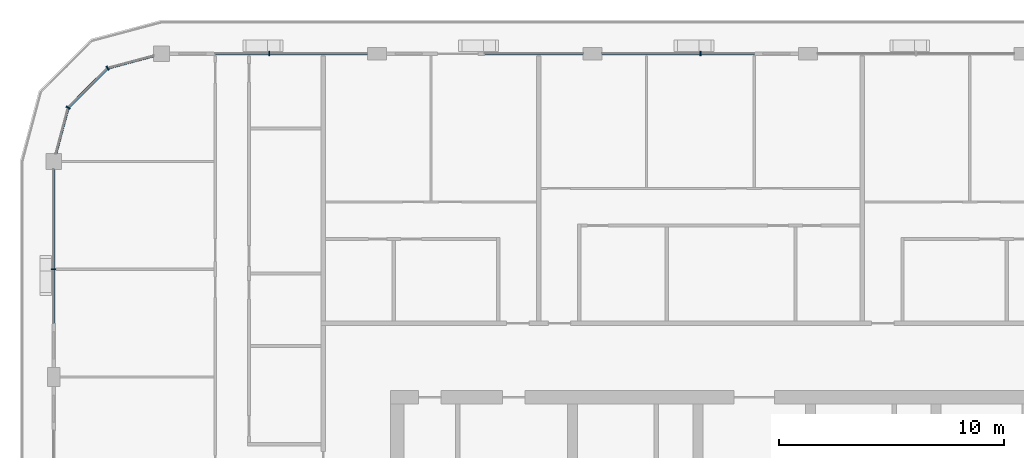
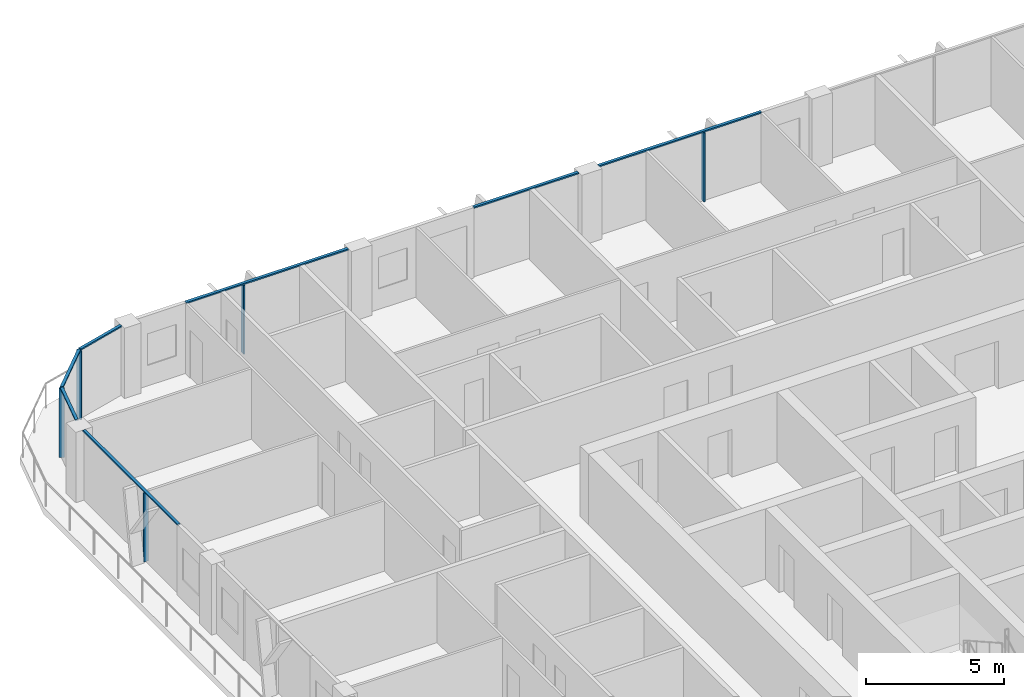
# One storey, part 5 of 22: 12 members, 5 elements without a shape of their own.
"""IFC4 building model written with IfcOpenShell, lengths in metres."""

from ifc_helpers import new_model, si_unit, direction, frame, origin, origin_2d, place, context, subcontext, project, spatial, rectangle, extrude, material, layer, layer_set, material_profile, profile_set, type_object, element, aggregate, save


model = new_model("IFC4")

# Units and contexts
model_context = context("Model", 3, precision=1e-05, world=origin(), true_north=direction((0.0, 1.0)))
body_context = subcontext(model_context, "Body", "Model", "MODEL_VIEW")
ifc_project = project(units=[si_unit("LENGTHUNIT", "METRE"), si_unit("AREAUNIT", "SQUARE_METRE"), si_unit("VOLUMEUNIT", "CUBIC_METRE"), si_unit("PLANEANGLEUNIT", "RADIAN"), si_unit("MASSUNIT", "GRAM", prefix="KILO")], contexts=[model_context])

# Site, building, storey
site_placement = place(None, origin())
site = spatial("IfcSite", under=ifc_project, at=site_placement, CompositionType="ELEMENT")
building_placement = place(site_placement, origin())
building = spatial("IfcBuilding", under=site, at=building_placement, Name="Madar Terraces", CompositionType="ELEMENT")
storey_placement = place(building_placement, frame((0.0, 0.0, 259.699951171875)))
storey = spatial("IfcBuildingStorey", under=building, at=storey_placement, Name="L68", CompositionType="ELEMENT", Elevation=259.699951171875)

# Curtain wall, member
ifc_material_1 = material(Name="Glass, ceramic frit dark grey, with black aluminium frame", Category="aluminium")
ifc_layer = layer(ifc_material_1, 0.199951171875)
ifc_layer_set = layer_set([ifc_layer], Name="Facade curtain wall, fritted glass")
curtain_wall_type = type_object("IfcCurtainWallType", Name="Facade curtain wall, fritted glass", PredefinedType="NOTDEFINED", material=ifc_layer_set)
curtain_wall_1_placement = place(storey_placement, origin())
curtain_wall_1 = element("IfcCurtainWall", 1, at=curtain_wall_1_placement, inside=storey, type_object=curtain_wall_type, Name="Outer skin curtain wall north bay 3", PredefinedType="NOTDEFINED")
ifc_material_2 = material(Name="Aluminium, black anodised", Category="aluminium")
ifc_material_profile_1 = material_profile(ifc_material_2, rectangle(XDim=0.199951171875, YDim=0.06005859375, at=origin_2d()), Name="Facade mullion 60x200")
ifc_profile_set_1 = profile_set([ifc_material_profile_1], Name="Aluminium, black anodised")
member_type_1 = type_object("IfcMemberType", Name="Facade mullion 60x200", PredefinedType="MULLION", material=ifc_profile_set_1)
member_1_placement = place(storey_placement, frame((28.800048828125, 52.800048828125, 0.0), z_axis=(0.0, 0.0, 1.0), x_axis=(0.0, -1.0, 0.0)))
member_1 = element("IfcMember", 2, at=member_1_placement, type_object=member_type_1, Name="Mullion 1", PredefinedType="MULLION", context=body_context, shape_type="SweptSolid", body=[
    extrude(rectangle(XDim=0.199951171875, YDim=0.06005859375, at=origin_2d()), origin(), (0.0, 0.0, 1.0), 3.0400390625),
])

curtain_wall_2_placement = place(storey_placement, origin())
curtain_wall_2 = element("IfcCurtainWall", 3, at=curtain_wall_2_placement, inside=storey, type_object=curtain_wall_type, Name="Outer skin curtain wall north bay 5", PredefinedType="NOTDEFINED")
member_2_placement = place(storey_placement, frame((9.60009765625, 52.800048828125, 0.0), z_axis=(0.0, 0.0, 1.0), x_axis=(0.0, -1.0, 0.0)))
member_2 = element("IfcMember", 4, at=member_2_placement, type_object=member_type_1, Name="Mullion 1", PredefinedType="MULLION", context=body_context, shape_type="SweptSolid", body=[
    extrude(rectangle(XDim=0.199951171875, YDim=0.06005859375, at=origin_2d()), origin(), (0.0, 0.0, 1.0), 3.0400390625),
])

curtain_wall_3_placement = place(storey_placement, origin())
curtain_wall_3 = element("IfcCurtainWall", 5, at=curtain_wall_3_placement, inside=storey, type_object=curtain_wall_type, Name="Outer skin curtain wall west bay 1", PredefinedType="NOTDEFINED")
member_3_placement = place(storey_placement, frame((0.0, 43.199951171875, 0.0), z_axis=(0.0, 0.0, 1.0), x_axis=(1.0, 0.0, 0.0)))
member_3 = element("IfcMember", 6, at=member_3_placement, type_object=member_type_1, Name="Mullion 1", PredefinedType="MULLION", context=body_context, shape_type="SweptSolid", body=[
    extrude(rectangle(XDim=0.199951171875, YDim=0.06005859375, at=origin_2d()), origin(), (0.0, 0.0, 1.0), 3.0400390625),
])

# Curtain wall, members
curtain_wall_4_placement = place(storey_placement, origin())
curtain_wall_4 = element("IfcCurtainWall", 7, at=curtain_wall_4_placement, inside=storey, type_object=curtain_wall_type, Name="Outer skin curtain wall north-west corner", PredefinedType="NOTDEFINED")
member_4_placement = place(storey_placement, frame((2.39990234375, 52.156982421875, 0.0), z_axis=(0.0, 0.0, 1.0), x_axis=(0.499999989586, -0.866025409797, 0.0)))
member_4 = element("IfcMember", 8, at=member_4_placement, type_object=member_type_1, Name="Mullion 1", PredefinedType="MULLION", context=body_context, shape_type="SweptSolid", body=[
    extrude(rectangle(XDim=0.199951171875, YDim=0.06005859375, at=origin_2d()), origin(), (0.0, 0.0, 1.0), 3.0400390625),
])
member_5_placement = place(storey_placement, frame((0.64306640625, 50.39990234375, 0.0), z_axis=(0.0, 0.0, 1.0), x_axis=(0.866025409797, -0.499999989586, 0.0)))
member_5 = element("IfcMember", 9, at=member_5_placement, type_object=member_type_1, Name="Mullion 2", PredefinedType="MULLION", context=body_context, shape_type="SweptSolid", body=[
    extrude(rectangle(XDim=0.199951171875, YDim=0.06005859375, at=origin_2d()), origin(), (0.0, 0.0, 1.0), 3.0400390625),
])

# Member
ifc_material_3 = material(Name="Aluminium, black anodised", Category="aluminium")
ifc_material_profile_2 = material_profile(ifc_material_3, rectangle(XDim=0.1201171875, YDim=0.06005859375, at=origin_2d()), Name="Facade transom 60x120")
ifc_profile_set_2 = profile_set([ifc_material_profile_2], Name="Aluminium, black anodised")
member_type_2 = type_object("IfcMemberType", Name="Facade transom 60x120", PredefinedType="USERDEFINED", material=ifc_profile_set_2)
member_6_placement = place(storey_placement, frame((31.199951171875, 52.800048828125, 3.070068359375), z_axis=(-1.0, 0.0, 0.0), x_axis=(0.0, -1.0, 0.0)))
member_6 = element("IfcMember", 10, at=member_6_placement, type_object=member_type_2, Name="Transom 1", ObjectType="TRANSOM", PredefinedType="USERDEFINED", context=body_context, shape_type="SweptSolid", body=[
    extrude(rectangle(XDim=0.1201171875, YDim=0.06005859375, at=origin_2d()), origin(), (0.0, 0.0, 1.0), 6.77490234375),
])

aggregate(curtain_wall_1, [member_1, member_6])

# Curtain wall, member
curtain_wall_5_placement = place(storey_placement, origin())
curtain_wall_5 = element("IfcCurtainWall", 11, at=curtain_wall_5_placement, inside=storey, type_object=curtain_wall_type, Name="Outer skin curtain wall north bay 4", PredefinedType="NOTDEFINED")
member_7_placement = place(storey_placement, frame((23.574951171875, 52.800048828125, 3.070068359375), z_axis=(-1.0, 0.0, 0.0), x_axis=(0.0, -1.0, 0.0)))
member_7 = element("IfcMember", 12, at=member_7_placement, type_object=member_type_2, Name="Transom 1", ObjectType="TRANSOM", PredefinedType="USERDEFINED", context=body_context, shape_type="SweptSolid", body=[
    extrude(rectangle(XDim=0.1201171875, YDim=0.06005859375, at=origin_2d()), origin(), (0.0, 0.0, 1.0), 4.375),
])
aggregate(curtain_wall_5, [member_7])

# Member
member_8_placement = place(storey_placement, frame((13.97509765625, 52.800048828125, 3.070068359375), z_axis=(-1.0, 0.0, 0.0), x_axis=(0.0, -1.0, 0.0)))
member_8 = element("IfcMember", 13, at=member_8_placement, type_object=member_type_2, Name="Transom 1", ObjectType="TRANSOM", PredefinedType="USERDEFINED", context=body_context, shape_type="SweptSolid", body=[
    extrude(rectangle(XDim=0.1201171875, YDim=0.06005859375, at=origin_2d()), origin(), (0.0, 0.0, 1.0), 6.775146484375),
])

aggregate(curtain_wall_2, [member_2, member_8])

member_9_placement = place(storey_placement, frame((0.0, 47.64990234375, 3.070068359375), z_axis=(0.0, -1.0, 0.0), x_axis=(1.0, 0.0, 0.0)))
member_9 = element("IfcMember", 14, at=member_9_placement, type_object=member_type_2, Name="Transom 1", ObjectType="TRANSOM", PredefinedType="USERDEFINED", context=body_context, shape_type="SweptSolid", body=[
    extrude(rectangle(XDim=0.1201171875, YDim=0.06005859375, at=origin_2d()), origin(), (0.0, 0.0, 1.0), 6.849853515625),
])

aggregate(curtain_wall_3, [member_3, member_9])

member_10_placement = place(storey_placement, frame((4.449951171875, 52.706298828125, 3.070068359375), z_axis=(-0.965928259589, -0.258809963731, 0.0), x_axis=(0.258809963731, -0.965928259589, 0.0)))
member_10 = element("IfcMember", 15, at=member_10_placement, type_object=member_type_2, Name="Transom 1", ObjectType="TRANSOM", PredefinedType="USERDEFINED", context=body_context, shape_type="SweptSolid", body=[
    extrude(rectangle(XDim=0.1201171875, YDim=0.06005859375, at=origin_2d()), origin(), (0.0, 0.0, 1.0), 2.09228515625),
])

member_11_placement = place(storey_placement, frame((2.37890625, 52.1357421875, 3.070068359375), z_axis=(-0.707106781187, -0.707106781187, 0.0), x_axis=(0.707106781187, -0.707106781187, 0.0)))
member_11 = element("IfcMember", 16, at=member_11_placement, type_object=member_type_2, Name="Transom 2", ObjectType="TRANSOM", PredefinedType="USERDEFINED", context=body_context, shape_type="SweptSolid", body=[
    extrude(rectangle(XDim=0.1201171875, YDim=0.06005859375, at=origin_2d()), origin(), (0.0, 0.0, 1.0), 2.4248046875),
])

member_12_placement = place(storey_placement, frame((0.63525390625, 50.37109375, 3.070068359375), z_axis=(-0.258809963731, -0.965928259589, 0.0), x_axis=(0.965928259589, -0.258809963731, 0.0)))
member_12 = element("IfcMember", 17, at=member_12_placement, type_object=member_type_2, Name="Transom 3", ObjectType="TRANSOM", PredefinedType="USERDEFINED", context=body_context, shape_type="SweptSolid", body=[
    extrude(rectangle(XDim=0.1201171875, YDim=0.06005859375, at=origin_2d()), origin(), (0.0, 0.0, 1.0), 2.09228515625),
])

aggregate(curtain_wall_4, [member_4, member_10, member_5, member_11, member_12])

save(model, "model.ifc")
